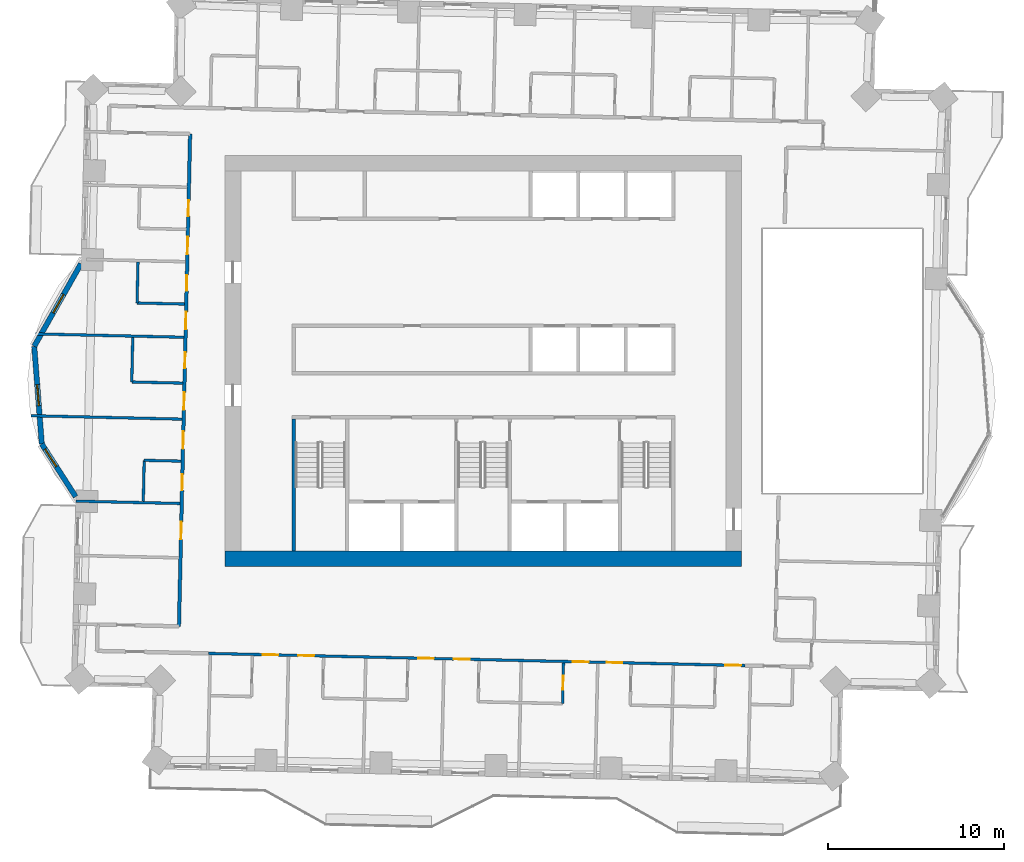
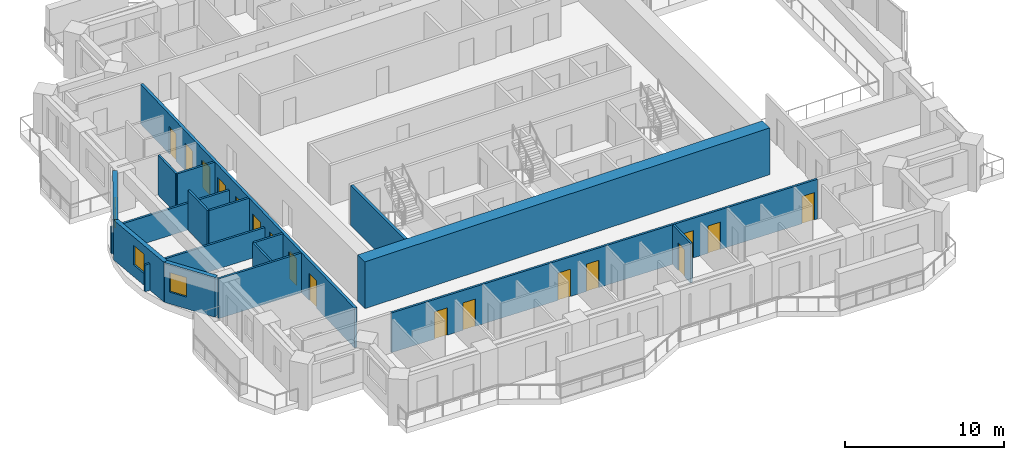
# One storey, part 5 of 14: 17 doors, 17 walls, 3 windows, 20 openings.
"""IFC4 building model written with IfcOpenShell, lengths in metres."""

from ifc_helpers import new_model, si_unit, direction, frame, frame_2d, origin, place, context, subcontext, project, spatial, rectangle, extrude, material, layer, layer_set, type_object, element, fill, save


model = new_model("IFC4")

# Units and contexts
model_context = context("Model", 3, precision=1e-05, world=origin(), true_north=direction((0.0, 1.0)))
body_context = subcontext(model_context, "Body", "Model", "MODEL_VIEW")
ifc_project = project(units=[si_unit("LENGTHUNIT", "METRE"), si_unit("AREAUNIT", "SQUARE_METRE"), si_unit("VOLUMEUNIT", "CUBIC_METRE"), si_unit("PLANEANGLEUNIT", "RADIAN"), si_unit("MASSUNIT", "GRAM", prefix="KILO")], contexts=[model_context])

# Site, building, storey
site_placement = place(None, origin())
site = spatial("IfcSite", under=ifc_project, at=site_placement, CompositionType="ELEMENT")
building_placement = place(site_placement, origin())
building = spatial("IfcBuilding", under=site, at=building_placement, Name="Mangrove Gate Tower", CompositionType="ELEMENT")
storey_placement = place(building_placement, frame((0.0, 0.0, 167.10009765625)))
storey = spatial("IfcBuildingStorey", under=building, at=storey_placement, Name="L42", CompositionType="ELEMENT", Elevation=167.10009765625)

# Walls
ifc_material_1 = material(Name="Concrete C60/75", Category="concrete")
ifc_layer_1 = layer(ifc_material_1, 0.199951171875)
ifc_layer_set_1 = layer_set([ifc_layer_1], Name="Core stair wall 200 C60/75")
wall_type_1 = type_object("IfcWallType", Name="Core stair wall 200 C60/75", PredefinedType="SHEAR", material=ifc_layer_set_1)
wall_1_placement = place(storey_placement, frame((-10.800048828125, -10.800048828125, 0.0), z_axis=(0.0, 0.0, 1.0), x_axis=(0.0, 1.0, 0.0)))
element("IfcWall", 1, at=wall_1_placement, inside=storey, type_object=wall_type_1, Name="WALL-L42-CORE-9", PredefinedType="SHEAR", context=body_context, shape_type="SweptSolid", body=[
    extrude(rectangle(XDim=7.5, YDim=0.199951171875, at=frame_2d((3.75, 0.0))), origin(), (0.0, 0.0, 1.0), 3.0498046875),
])
ifc_material_2 = material(Name="Concrete C60/75", Category="concrete")
ifc_layer_2 = layer(ifc_material_2, 0.89990234375)
ifc_layer_set_2 = layer_set([ifc_layer_2], Name="Core wall 900 C60/75")
wall_type_2 = type_object("IfcWallType", Name="Core wall 900 C60/75", PredefinedType="SHEAR", material=ifc_layer_set_2)
wall_2_placement = place(storey_placement, frame((-14.699951171875, -11.25, 0.0), z_axis=(0.0, 0.0, 1.0), x_axis=(1.0, 0.0, 0.0)))
element("IfcWall", 2, at=wall_2_placement, inside=storey, type_object=wall_type_2, Name="WALL-L42-CORE-1", PredefinedType="SHEAR", context=body_context, shape_type="SweptSolid", body=[
    extrude(rectangle(XDim=29.39990234375, YDim=0.89990234375, at=frame_2d((14.699951171875, 0.0))), origin(), (0.0, 0.0, 1.0), 3.599853515625),
])

# Wall, openings, doors
ifc_material_3 = material(Name="Gypsum board on steel stud, EI 60", Category="steel")
ifc_layer_3 = layer(ifc_material_3, 0.199951171875)
ifc_layer_set_3 = layer_set([ifc_layer_3], Name="Corridor wall EI 60")
wall_type_3 = type_object("IfcWallType", Name="Corridor wall EI 60", PredefinedType="PARTITIONING", material=ifc_layer_set_3)
wall_3_placement = place(storey_placement, frame((-17.320068359375, -15.097900390625, 0.0), z_axis=(0.0, 0.0, 1.0), x_axis=(0.022694293906, 0.999742451346, 0.0)))
wall_3 = element("IfcWall", 3, at=wall_3_placement, inside=storey, type_object=wall_type_3, Name="WALL-L42-027", PredefinedType="PARTITIONING", context=body_context, shape_type="SweptSolid", body=[
    extrude(rectangle(XDim=28.024169921875, YDim=0.199951171875, at=frame_2d((14.01220703125, 0.0))), origin(), (0.0, 0.0, 1.0), 3.0498046875),
])
opening_1_placement = place(wall_3_placement, frame((21.174072265625, 0.0, 0.0)))
opening_1 = element("IfcOpeningElement", 4, at=opening_1_placement, cuts=wall_3, Name="Opening AD", PredefinedType="OPENING", context=body_context, shape_type="SweptSolid", body=[
    extrude(rectangle(XDim=1.0, YDim=2.10009765625, at=frame_2d((0.5, 1.050048828125))), frame((0.0, 0.10986328125, 0.0), z_axis=(0.0, -1.0, 0.0), x_axis=(1.0, 0.0, 0.0)), (0.0, 0.0, 1.0), 0.219970703125),
])
opening_2_placement = place(wall_3_placement, frame((23.34912109375, 0.0, 0.0)))
opening_2 = element("IfcOpeningElement", 5, at=opening_2_placement, cuts=wall_3, Name="Opening SD", PredefinedType="OPENING", context=body_context, shape_type="SweptSolid", body=[
    extrude(rectangle(XDim=0.89990234375, YDim=2.10009765625, at=frame_2d((0.449951171875, 1.050048828125))), frame((0.0, 0.10986328125, 0.0), z_axis=(0.0, -1.0, 0.0), x_axis=(1.0, 0.0, 0.0)), (0.0, 0.0, 1.0), 0.219970703125),
])
opening_3_placement = place(wall_3_placement, frame((16.89892578125, 0.0, 0.0)))
opening_3 = element("IfcOpeningElement", 6, at=opening_3_placement, cuts=wall_3, Name="Opening AD", PredefinedType="OPENING", context=body_context, shape_type="SweptSolid", body=[
    extrude(rectangle(XDim=1.0, YDim=2.10009765625, at=frame_2d((0.5, 1.050048828125))), frame((0.0, 0.10986328125, 0.0), z_axis=(0.0, -1.0, 0.0), x_axis=(1.0, 0.0, 0.0)), (0.0, 0.0, 1.0), 0.219970703125),
])
opening_4_placement = place(wall_3_placement, frame((19.09912109375, 0.0, 0.0)))
opening_4 = element("IfcOpeningElement", 7, at=opening_4_placement, cuts=wall_3, Name="Opening SD", PredefinedType="OPENING", context=body_context, shape_type="SweptSolid", body=[
    extrude(rectangle(XDim=0.89990234375, YDim=2.10009765625, at=frame_2d((0.449951171875, 1.050048828125))), frame((0.0, 0.10986328125, 0.0), z_axis=(0.0, -1.0, 0.0), x_axis=(1.0, 0.0, 0.0)), (0.0, 0.0, 1.0), 0.219970703125),
])
opening_5_placement = place(wall_3_placement, frame((12.323974609375, 0.0, 0.0)))
opening_5 = element("IfcOpeningElement", 8, at=opening_5_placement, cuts=wall_3, Name="Opening AD", PredefinedType="OPENING", context=body_context, shape_type="SweptSolid", body=[
    extrude(rectangle(XDim=1.0, YDim=2.10009765625, at=frame_2d((0.5, 1.050048828125))), frame((0.0, 0.10986328125, 0.0), z_axis=(0.0, -1.0, 0.0), x_axis=(1.0, 0.0, 0.0)), (0.0, 0.0, 1.0), 0.219970703125),
])
opening_6_placement = place(wall_3_placement, frame((14.698974609375, 0.0, 0.0)))
opening_6 = element("IfcOpeningElement", 9, at=opening_6_placement, cuts=wall_3, Name="Opening SD", PredefinedType="OPENING", context=body_context, shape_type="SweptSolid", body=[
    extrude(rectangle(XDim=0.89990234375, YDim=2.10009765625, at=frame_2d((0.449951171875, 1.050048828125))), frame((0.0, 0.10986328125, 0.0), z_axis=(0.0, -1.0, 0.0), x_axis=(1.0, 0.0, 0.0)), (0.0, 0.0, 1.0), 0.219970703125),
])
opening_7_placement = place(wall_3_placement, frame((10.09912109375, 0.0, 0.0)))
opening_7 = element("IfcOpeningElement", 10, at=opening_7_placement, cuts=wall_3, Name="Opening AD", PredefinedType="OPENING", context=body_context, shape_type="SweptSolid", body=[
    extrude(rectangle(XDim=1.0, YDim=2.10009765625, at=frame_2d((0.5, 1.050048828125))), frame((0.0, 0.10986328125, 0.0), z_axis=(0.0, -1.0, 0.0), x_axis=(1.0, 0.0, 0.0)), (0.0, 0.0, 1.0), 0.219970703125),
])
opening_8_placement = place(wall_3_placement, frame((7.7490234375, 0.0, 0.0)))
opening_8 = element("IfcOpeningElement", 11, at=opening_8_placement, cuts=wall_3, Name="Opening SD", PredefinedType="OPENING", context=body_context, shape_type="SweptSolid", body=[
    extrude(rectangle(XDim=0.89990234375, YDim=2.10009765625, at=frame_2d((0.449951171875, 1.050048828125))), frame((0.0, 0.10986328125, 0.0), z_axis=(0.0, -1.0, 0.0), x_axis=(1.0, 0.0, 0.0)), (0.0, 0.0, 1.0), 0.219970703125),
])
opening_9_placement = place(wall_3_placement, frame((4.949951171875, 0.0, 0.0)))
opening_9 = element("IfcOpeningElement", 12, at=opening_9_placement, cuts=wall_3, Name="Opening AD", PredefinedType="OPENING", context=body_context, shape_type="SweptSolid", body=[
    extrude(rectangle(XDim=1.0, YDim=2.10009765625, at=frame_2d((0.5, 1.050048828125))), frame((0.0, 0.10986328125, 0.0), z_axis=(0.0, -1.0, 0.0), x_axis=(1.0, 0.0, 0.0)), (0.0, 0.0, 1.0), 0.219970703125),
])
ifc_material_4 = material(Name="Timber door leaf", Category="wood")
door_type_1 = type_object("IfcDoorType", Name="Amenity door 1000", OperationType="SINGLE_SWING_LEFT", PredefinedType="DOOR", material=ifc_material_4)
door_1_placement = place(opening_1_placement, origin())
door_1 = element("IfcDoor", 13, at=door_1_placement, inside=storey, type_object=door_type_1, Name="DOOR-L42-LNG-c5a", OperationType="SINGLE_SWING_LEFT", OverallHeight=2.10009765625, OverallWidth=1.0, PredefinedType="DOOR", context=body_context, shape_type="SweptSolid", body=[
    extrude(rectangle(XDim=1.0, YDim=2.10009765625, at=frame_2d((0.5, 1.050048828125))), frame((0.0, 0.02490234375, 0.0), z_axis=(0.0, -1.0, 0.0), x_axis=(1.0, 0.0, 0.0)), (0.0, 0.0, 1.0), 0.050048828125),
])
fill(opening_1, door_1)
door_2_placement = place(opening_3_placement, origin())
door_2 = element("IfcDoor", 14, at=door_2_placement, inside=storey, type_object=door_type_1, Name="DOOR-L42-KIT-c5b", OperationType="SINGLE_SWING_RIGHT", OverallHeight=2.10009765625, OverallWidth=1.0, PredefinedType="DOOR", context=body_context, shape_type="SweptSolid", body=[
    extrude(rectangle(XDim=1.0, YDim=2.10009765625, at=frame_2d((0.5, 1.050048828125))), frame((0.0, 0.02490234375, 0.0), z_axis=(0.0, -1.0, 0.0), x_axis=(1.0, 0.0, 0.0)), (0.0, 0.0, 1.0), 0.050048828125),
])
fill(opening_3, door_2)
door_3_placement = place(opening_5_placement, origin())
door_3 = element("IfcDoor", 15, at=door_3_placement, inside=storey, type_object=door_type_1, Name="DOOR-L42-KIT-c5c", OperationType="SINGLE_SWING_LEFT", OverallHeight=2.10009765625, OverallWidth=1.0, PredefinedType="DOOR", context=body_context, shape_type="SweptSolid", body=[
    extrude(rectangle(XDim=1.0, YDim=2.10009765625, at=frame_2d((0.5, 1.050048828125))), frame((0.0, 0.02490234375, 0.0), z_axis=(0.0, -1.0, 0.0), x_axis=(1.0, 0.0, 0.0)), (0.0, 0.0, 1.0), 0.050048828125),
])
fill(opening_5, door_3)
door_4_placement = place(opening_7_placement, origin())
door_4 = element("IfcDoor", 16, at=door_4_placement, inside=storey, type_object=door_type_1, Name="DOOR-L42-GAM-c5a", OperationType="SINGLE_SWING_RIGHT", OverallHeight=2.10009765625, OverallWidth=1.0, PredefinedType="DOOR", context=body_context, shape_type="SweptSolid", body=[
    extrude(rectangle(XDim=1.0, YDim=2.10009765625, at=frame_2d((0.5, 1.050048828125))), frame((0.0, 0.02490234375, 0.0), z_axis=(0.0, -1.0, 0.0), x_axis=(1.0, 0.0, 0.0)), (0.0, 0.0, 1.0), 0.050048828125),
])
fill(opening_7, door_4)
door_5_placement = place(opening_9_placement, origin())
door_5 = element("IfcDoor", 17, at=door_5_placement, inside=storey, type_object=door_type_1, Name="DOOR-L42-STU-c5b", OperationType="SINGLE_SWING_LEFT", OverallHeight=2.10009765625, OverallWidth=1.0, PredefinedType="DOOR", context=body_context, shape_type="SweptSolid", body=[
    extrude(rectangle(XDim=1.0, YDim=2.10009765625, at=frame_2d((0.5, 1.050048828125))), frame((0.0, 0.02490234375, 0.0), z_axis=(0.0, -1.0, 0.0), x_axis=(1.0, 0.0, 0.0)), (0.0, 0.0, 1.0), 0.050048828125),
])
fill(opening_9, door_5)
ifc_material_5 = material(Name="Timber door leaf", Category="wood")
door_type_2 = type_object("IfcDoorType", Name="Service room door 900", OperationType="SINGLE_SWING_LEFT", PredefinedType="DOOR", material=ifc_material_5)
door_6_placement = place(opening_2_placement, origin())
door_6 = element("IfcDoor", 18, at=door_6_placement, inside=storey, type_object=door_type_2, Name="DOOR-L42-WC-c5a", OperationType="SINGLE_SWING_RIGHT", OverallHeight=2.10009765625, OverallWidth=0.89990234375, PredefinedType="DOOR", context=body_context, shape_type="SweptSolid", body=[
    extrude(rectangle(XDim=0.89990234375, YDim=2.10009765625, at=frame_2d((0.449951171875, 1.050048828125))), frame((0.0, 0.02490234375, 0.0), z_axis=(0.0, -1.0, 0.0), x_axis=(1.0, 0.0, 0.0)), (0.0, 0.0, 1.0), 0.050048828125),
])
fill(opening_2, door_6)
door_7_placement = place(opening_4_placement, origin())
door_7 = element("IfcDoor", 19, at=door_7_placement, inside=storey, type_object=door_type_2, Name="DOOR-L42-WC-c5b", OperationType="SINGLE_SWING_LEFT", OverallHeight=2.10009765625, OverallWidth=0.89990234375, PredefinedType="DOOR", context=body_context, shape_type="SweptSolid", body=[
    extrude(rectangle(XDim=0.89990234375, YDim=2.10009765625, at=frame_2d((0.449951171875, 1.050048828125))), frame((0.0, 0.02490234375, 0.0), z_axis=(0.0, -1.0, 0.0), x_axis=(1.0, 0.0, 0.0)), (0.0, 0.0, 1.0), 0.050048828125),
])
fill(opening_4, door_7)
door_8_placement = place(opening_6_placement, origin())
door_8 = element("IfcDoor", 20, at=door_8_placement, inside=storey, type_object=door_type_2, Name="DOOR-L42-AWC-c5b", OperationType="SINGLE_SWING_RIGHT", OverallHeight=2.10009765625, OverallWidth=0.89990234375, PredefinedType="DOOR", context=body_context, shape_type="SweptSolid", body=[
    extrude(rectangle(XDim=0.89990234375, YDim=2.10009765625, at=frame_2d((0.449951171875, 1.050048828125))), frame((0.0, 0.02490234375, 0.0), z_axis=(0.0, -1.0, 0.0), x_axis=(1.0, 0.0, 0.0)), (0.0, 0.0, 1.0), 0.050048828125),
])
fill(opening_6, door_8)
door_9_placement = place(opening_8_placement, origin())
door_9 = element("IfcDoor", 21, at=door_9_placement, inside=storey, type_object=door_type_2, Name="DOOR-L42-LIN-c5a", OperationType="SINGLE_SWING_LEFT", OverallHeight=2.10009765625, OverallWidth=0.89990234375, PredefinedType="DOOR", context=body_context, shape_type="SweptSolid", body=[
    extrude(rectangle(XDim=0.89990234375, YDim=2.10009765625, at=frame_2d((0.449951171875, 1.050048828125))), frame((0.0, 0.02490234375, 0.0), z_axis=(0.0, -1.0, 0.0), x_axis=(1.0, 0.0, 0.0)), (0.0, 0.0, 1.0), 0.050048828125),
])
fill(opening_8, door_9)

# Wall, opening, window
ifc_material_6 = material(Name="Limestone", Category="masonry")
ifc_layer_4 = layer(ifc_material_6, 0.0400390625, Name="Limestone cladding")
ifc_material_7 = material(Name="Ventilated air gap")
ifc_layer_5 = layer(ifc_material_7, 0.0400390625, Name="Ventilated cavity")
ifc_material_8 = material(Name="Mineral wool insulation")
ifc_layer_6 = layer(ifc_material_8, 0.06005859375, Name="Insulation")
ifc_material_9 = material(Name="Breather membrane")
ifc_layer_7 = layer(ifc_material_9, 0.001953125, Name="Breather membrane")
ifc_material_10 = material(Name="Concrete C20/25 blockwork", Category="masonry")
ifc_layer_8 = layer(ifc_material_10, 0.14990234375, Name="Blockwork backing wall")
ifc_material_11 = material(Name="Gypsum plaster")
ifc_layer_9 = layer(ifc_material_11, 0.008056640625, Name="Internal plaster")
ifc_layer_set_4 = layer_set([ifc_layer_4, ifc_layer_5, ifc_layer_6, ifc_layer_7, ifc_layer_8, ifc_layer_9], Name="External wall 300 limestone cladding")
wall_type_4 = type_object("IfcWallType", Name="External wall 300 limestone cladding", PredefinedType="SOLIDWALL", material=ifc_layer_set_4)
wall_4_placement = place(storey_placement, frame((-22.89404296875, 5.537109375, 0.0), z_axis=(0.0, 0.0, 1.0), x_axis=(-0.492495436053, -0.870315026566, 0.0)))
wall_4 = element("IfcWall", 22, at=wall_4_placement, inside=storey, type_object=wall_type_4, Name="WALL-L42-W9f1", PredefinedType="SOLIDWALL", context=body_context, shape_type="SweptSolid", body=[
    extrude(rectangle(XDim=5.39697265625, YDim=0.300048828125, at=frame_2d((2.698486328125, 0.0))), origin(), (0.0, 0.0, 1.0), 3.0498046875),
])
opening_10_placement = place(wall_4_placement, frame((2.007080078125, 0.0, 0.89990234375)))
opening_10 = element("IfcOpeningElement", 23, at=opening_10_placement, cuts=wall_4, Name="Opening W1", PredefinedType="OPENING", context=body_context, shape_type="SweptSolid", body=[
    extrude(rectangle(XDim=1.199951171875, YDim=1.5, at=frame_2d((0.60009765625, 0.75))), frame((0.0, 0.159912109375, 0.0), z_axis=(0.0, -1.0, 0.0), x_axis=(1.0, 0.0, 0.0)), (0.0, 0.0, 1.0), 0.320068359375),
])
ifc_material_12 = material(Name="Aluminium frame with double-glazed low-e glass", Category="aluminium")
window_type = type_object("IfcWindowType", Name="Side lite 1200x1500", PartitioningType="SINGLE_PANEL", PredefinedType="WINDOW", material=ifc_material_12)
window_1_placement = place(opening_10_placement, origin())
window_1 = element("IfcWindow", 24, at=window_1_placement, inside=storey, type_object=window_type, Name="WIN-L42-W9f1", OverallHeight=1.5, OverallWidth=1.199951171875, PartitioningType="SINGLE_PANEL", PredefinedType="WINDOW", context=body_context, shape_type="SweptSolid", body=[
    extrude(rectangle(XDim=1.199951171875, YDim=1.5, at=frame_2d((0.60009765625, 0.75))), frame((0.0, 0.030029296875, 0.0), z_axis=(0.0, -1.0, 0.0), x_axis=(1.0, 0.0, 0.0)), (0.0, 0.0, 1.0), 0.06005859375),
])
fill(opening_10, window_1)

wall_5_placement = place(storey_placement, frame((-25.552001953125, 0.840087890625, 0.0), z_axis=(0.0, 0.0, 1.0), x_axis=(0.076961115238, -0.997034095075, 0.0)))
wall_5 = element("IfcWall", 25, at=wall_5_placement, inside=storey, type_object=wall_type_4, Name="WALL-L42-W9f2", PredefinedType="SOLIDWALL", context=body_context, shape_type="SweptSolid", body=[
    extrude(rectangle(XDim=5.57373046875, YDim=0.300048828125, at=frame_2d((2.786865234375, 0.0))), origin(), (0.0, 0.0, 1.0), 3.0498046875),
])
opening_11_placement = place(wall_5_placement, frame((2.18701171875, 0.0, 0.89990234375)))
opening_11 = element("IfcOpeningElement", 26, at=opening_11_placement, cuts=wall_5, Name="Opening W1", PredefinedType="OPENING", context=body_context, shape_type="SweptSolid", body=[
    extrude(rectangle(XDim=1.199951171875, YDim=1.5, at=frame_2d((0.60009765625, 0.75))), frame((0.0, 0.159912109375, 0.0), z_axis=(0.0, -1.0, 0.0), x_axis=(1.0, 0.0, 0.0)), (0.0, 0.0, 1.0), 0.320068359375),
])
window_2_placement = place(opening_11_placement, origin())
window_2 = element("IfcWindow", 27, at=window_2_placement, inside=storey, type_object=window_type, Name="WIN-L42-W9f2", OverallHeight=1.5, OverallWidth=1.199951171875, PartitioningType="SINGLE_PANEL", PredefinedType="WINDOW", context=body_context, shape_type="SweptSolid", body=[
    extrude(rectangle(XDim=1.199951171875, YDim=1.5, at=frame_2d((0.60009765625, 0.75))), frame((0.0, 0.030029296875, 0.0), z_axis=(0.0, -1.0, 0.0), x_axis=(1.0, 0.0, 0.0)), (0.0, 0.0, 1.0), 0.06005859375),
])
fill(opening_11, window_2)

wall_6_placement = place(storey_placement, frame((-25.123046875, -4.717041015625, 0.0), z_axis=(0.0, 0.0, 1.0), x_axis=(0.54058467792, -0.841289608873, 0.0)))
wall_6 = element("IfcWall", 28, at=wall_6_placement, inside=storey, type_object=wall_type_4, Name="WALL-L42-W9f3", PredefinedType="SOLIDWALL", context=body_context, shape_type="SweptSolid", body=[
    extrude(rectangle(XDim=3.568359375, YDim=0.300048828125, at=frame_2d((1.7841796875, 0.0))), origin(), (0.0, 0.0, 1.0), 3.0498046875),
])
opening_12_placement = place(wall_6_placement, frame((0.337890625, 0.0, 0.89990234375)))
opening_12 = element("IfcOpeningElement", 29, at=opening_12_placement, cuts=wall_6, Name="Opening W1", PredefinedType="OPENING", context=body_context, shape_type="SweptSolid", body=[
    extrude(rectangle(XDim=1.199951171875, YDim=1.5, at=frame_2d((0.60009765625, 0.75))), frame((0.0, 0.159912109375, 0.0), z_axis=(0.0, -1.0, 0.0), x_axis=(1.0, 0.0, 0.0)), (0.0, 0.0, 1.0), 0.320068359375),
])
window_3_placement = place(opening_12_placement, origin())
window_3 = element("IfcWindow", 30, at=window_3_placement, inside=storey, type_object=window_type, Name="WIN-L42-W9f3", OverallHeight=1.5, OverallWidth=1.199951171875, PartitioningType="SINGLE_PANEL", PredefinedType="WINDOW", context=body_context, shape_type="SweptSolid", body=[
    extrude(rectangle(XDim=1.199951171875, YDim=1.5, at=frame_2d((0.60009765625, 0.75))), frame((0.0, 0.030029296875, 0.0), z_axis=(0.0, -1.0, 0.0), x_axis=(1.0, 0.0, 0.0)), (0.0, 0.0, 1.0), 0.06005859375),
])
fill(opening_12, window_3)

# Wall, opening, door
ifc_material_13 = material(Name="Gypsum board on steel stud, EI 60", Category="steel")
ifc_layer_10 = layer(ifc_material_13, 0.14990234375)
ifc_layer_set_5 = layer_set([ifc_layer_10], Name="Party wall 150 EI 60")
wall_type_5 = type_object("IfcWallType", Name="Party wall 150 EI 60", PredefinedType="PARTITIONING", material=ifc_layer_set_5)
wall_7_placement = place(storey_placement, frame((4.506103515625, -19.4951171875, 0.0), z_axis=(0.0, 0.0, 1.0), x_axis=(0.022778632478, 0.99974053329, 0.0)))
wall_7 = element("IfcWall", 31, at=wall_7_placement, inside=storey, type_object=wall_type_5, Name="WALL-L42-013", PredefinedType="PARTITIONING", context=body_context, shape_type="SweptSolid", body=[
    extrude(rectangle(XDim=2.32568359375, YDim=0.14990234375, at=frame_2d((1.162841796875, 0.0))), origin(), (0.0, 0.0, 1.0), 3.0498046875),
])
opening_13_placement = place(wall_7_placement, frame((0.800048828125, 0.0, 0.0)))
opening_13 = element("IfcOpeningElement", 32, at=opening_13_placement, cuts=wall_7, Name="Opening ED", PredefinedType="OPENING", context=body_context, shape_type="SweptSolid", body=[
    extrude(rectangle(XDim=0.800048828125, YDim=2.10009765625, at=frame_2d((0.39990234375, 1.050048828125))), frame((0.0, 0.0849609375, 0.0), z_axis=(0.0, -1.0, 0.0), x_axis=(1.0, 0.0, 0.0)), (0.0, 0.0, 1.0), 0.169921875),
])
ifc_material_14 = material(Name="Timber door leaf", Category="wood")
door_type_3 = type_object("IfcDoorType", Name="En-suite door 800", OperationType="SINGLE_SWING_LEFT", PredefinedType="DOOR", material=ifc_material_14)
door_10_placement = place(opening_13_placement, origin())
door_10 = element("IfcDoor", 33, at=door_10_placement, inside=storey, type_object=door_type_3, Name="DOOR-L42-ENS-c205", OperationType="SINGLE_SWING_LEFT", OverallHeight=2.10009765625, OverallWidth=0.800048828125, PredefinedType="DOOR", context=body_context, shape_type="SweptSolid", body=[
    extrude(rectangle(XDim=0.800048828125, YDim=2.10009765625, at=frame_2d((0.39990234375, 1.050048828125))), frame((0.0, 0.02490234375, 0.0), z_axis=(0.0, -1.0, 0.0), x_axis=(1.0, 0.0, 0.0)), (0.0, 0.0, 1.0), 0.050048828125),
])
fill(opening_13, door_10)

# Wall, openings, doors
wall_8_placement = place(storey_placement, frame((-15.64892578125, -16.633056640625, 0.0), z_axis=(0.0, 0.0, 1.0), x_axis=(0.999743261737, -0.022658565952, 0.0)))
wall_8 = element("IfcWall", 34, at=wall_8_placement, inside=storey, type_object=wall_type_5, Name="WALL-L42-025", PredefinedType="PARTITIONING", context=body_context, shape_type="SweptSolid", body=[
    extrude(rectangle(XDim=30.53564453125, YDim=0.14990234375, at=frame_2d((15.267822265625, 0.0))), origin(), (0.0, 0.0, 1.0), 3.0498046875),
])
opening_14_placement = place(wall_8_placement, frame((3.090087890625, 0.0, 0.0)))
opening_14 = element("IfcOpeningElement", 35, at=opening_14_placement, cuts=wall_8, Name="Opening BD", PredefinedType="OPENING", context=body_context, shape_type="SweptSolid", body=[
    extrude(rectangle(XDim=0.89990234375, YDim=2.10009765625, at=frame_2d((0.449951171875, 1.050048828125))), frame((0.0, 0.0849609375, 0.0), z_axis=(0.0, -1.0, 0.0), x_axis=(1.0, 0.0, 0.0)), (0.0, 0.0, 1.0), 0.169921875),
])
opening_15_placement = place(wall_8_placement, frame((5.114990234375, 0.0, 0.0)))
opening_15 = element("IfcOpeningElement", 36, at=opening_15_placement, cuts=wall_8, Name="Opening BD", PredefinedType="OPENING", context=body_context, shape_type="SweptSolid", body=[
    extrude(rectangle(XDim=0.89990234375, YDim=2.10009765625, at=frame_2d((0.449951171875, 1.050048828125))), frame((0.0, 0.0849609375, 0.0), z_axis=(0.0, -1.0, 0.0), x_axis=(1.0, 0.0, 0.0)), (0.0, 0.0, 1.0), 0.169921875),
])
opening_16_placement = place(wall_8_placement, frame((11.93994140625, 0.0, 0.0)))
opening_16 = element("IfcOpeningElement", 37, at=opening_16_placement, cuts=wall_8, Name="Opening BD", PredefinedType="OPENING", context=body_context, shape_type="SweptSolid", body=[
    extrude(rectangle(XDim=0.89990234375, YDim=2.10009765625, at=frame_2d((0.449951171875, 1.050048828125))), frame((0.0, 0.0849609375, 0.0), z_axis=(0.0, -1.0, 0.0), x_axis=(1.0, 0.0, 0.0)), (0.0, 0.0, 1.0), 0.169921875),
])
opening_17_placement = place(wall_8_placement, frame((13.965087890625, 0.0, 0.0)))
opening_17 = element("IfcOpeningElement", 38, at=opening_17_placement, cuts=wall_8, Name="Opening BD", PredefinedType="OPENING", context=body_context, shape_type="SweptSolid", body=[
    extrude(rectangle(XDim=0.89990234375, YDim=2.10009765625, at=frame_2d((0.449951171875, 1.050048828125))), frame((0.0, 0.0849609375, 0.0), z_axis=(0.0, -1.0, 0.0), x_axis=(1.0, 0.0, 0.0)), (0.0, 0.0, 1.0), 0.169921875),
])
opening_18_placement = place(wall_8_placement, frame((20.739990234375, 0.0, 0.0)))
opening_18 = element("IfcOpeningElement", 39, at=opening_18_placement, cuts=wall_8, Name="Opening BD", PredefinedType="OPENING", context=body_context, shape_type="SweptSolid", body=[
    extrude(rectangle(XDim=0.89990234375, YDim=2.10009765625, at=frame_2d((0.449951171875, 1.050048828125))), frame((0.0, 0.0849609375, 0.0), z_axis=(0.0, -1.0, 0.0), x_axis=(1.0, 0.0, 0.0)), (0.0, 0.0, 1.0), 0.169921875),
])
opening_19_placement = place(wall_8_placement, frame((22.6650390625, 0.0, 0.0)))
opening_19 = element("IfcOpeningElement", 40, at=opening_19_placement, cuts=wall_8, Name="Opening BD", PredefinedType="OPENING", context=body_context, shape_type="SweptSolid", body=[
    extrude(rectangle(XDim=0.89990234375, YDim=2.10009765625, at=frame_2d((0.449951171875, 1.050048828125))), frame((0.0, 0.0849609375, 0.0), z_axis=(0.0, -1.0, 0.0), x_axis=(1.0, 0.0, 0.0)), (0.0, 0.0, 1.0), 0.169921875),
])
opening_20_placement = place(wall_8_placement, frame((29.4150390625, 0.0, 0.0)))
opening_20 = element("IfcOpeningElement", 41, at=opening_20_placement, cuts=wall_8, Name="Opening BD", PredefinedType="OPENING", context=body_context, shape_type="SweptSolid", body=[
    extrude(rectangle(XDim=0.89990234375, YDim=2.10009765625, at=frame_2d((0.449951171875, 1.050048828125))), frame((0.0, 0.0849609375, 0.0), z_axis=(0.0, -1.0, 0.0), x_axis=(1.0, 0.0, 0.0)), (0.0, 0.0, 1.0), 0.169921875),
])
ifc_material_15 = material(Name="Timber door leaf", Category="wood")
door_type_4 = type_object("IfcDoorType", Name="Bedroom door 900", OperationType="SINGLE_SWING_LEFT", PredefinedType="DOOR", material=ifc_material_15)
door_11_placement = place(opening_14_placement, origin())
door_11 = element("IfcDoor", 42, at=door_11_placement, inside=storey, type_object=door_type_4, Name="DOOR-L42-BED-c101", OperationType="SINGLE_SWING_LEFT", OverallHeight=2.10009765625, OverallWidth=0.89990234375, PredefinedType="DOOR", context=body_context, shape_type="SweptSolid", body=[
    extrude(rectangle(XDim=0.89990234375, YDim=2.10009765625, at=frame_2d((0.449951171875, 1.050048828125))), frame((0.0, 0.02490234375, 0.0), z_axis=(0.0, -1.0, 0.0), x_axis=(1.0, 0.0, 0.0)), (0.0, 0.0, 1.0), 0.050048828125),
])
fill(opening_14, door_11)
door_12_placement = place(opening_15_placement, origin())
door_12 = element("IfcDoor", 43, at=door_12_placement, inside=storey, type_object=door_type_4, Name="DOOR-L42-BED-c102", OperationType="SINGLE_SWING_RIGHT", OverallHeight=2.10009765625, OverallWidth=0.89990234375, PredefinedType="DOOR", context=body_context, shape_type="SweptSolid", body=[
    extrude(rectangle(XDim=0.89990234375, YDim=2.10009765625, at=frame_2d((0.449951171875, 1.050048828125))), frame((0.0, 0.02490234375, 0.0), z_axis=(0.0, -1.0, 0.0), x_axis=(1.0, 0.0, 0.0)), (0.0, 0.0, 1.0), 0.050048828125),
])
fill(opening_15, door_12)
door_13_placement = place(opening_16_placement, origin())
door_13 = element("IfcDoor", 44, at=door_13_placement, inside=storey, type_object=door_type_4, Name="DOOR-L42-BED-c103", OperationType="SINGLE_SWING_LEFT", OverallHeight=2.10009765625, OverallWidth=0.89990234375, PredefinedType="DOOR", context=body_context, shape_type="SweptSolid", body=[
    extrude(rectangle(XDim=0.89990234375, YDim=2.10009765625, at=frame_2d((0.449951171875, 1.050048828125))), frame((0.0, 0.02490234375, 0.0), z_axis=(0.0, -1.0, 0.0), x_axis=(1.0, 0.0, 0.0)), (0.0, 0.0, 1.0), 0.050048828125),
])
fill(opening_16, door_13)
door_14_placement = place(opening_17_placement, origin())
door_14 = element("IfcDoor", 45, at=door_14_placement, inside=storey, type_object=door_type_4, Name="DOOR-L42-BED-c204", OperationType="SINGLE_SWING_RIGHT", OverallHeight=2.10009765625, OverallWidth=0.89990234375, PredefinedType="DOOR", context=body_context, shape_type="SweptSolid", body=[
    extrude(rectangle(XDim=0.89990234375, YDim=2.10009765625, at=frame_2d((0.449951171875, 1.050048828125))), frame((0.0, 0.02490234375, 0.0), z_axis=(0.0, -1.0, 0.0), x_axis=(1.0, 0.0, 0.0)), (0.0, 0.0, 1.0), 0.050048828125),
])
fill(opening_17, door_14)
door_15_placement = place(opening_18_placement, origin())
door_15 = element("IfcDoor", 46, at=door_15_placement, inside=storey, type_object=door_type_4, Name="DOOR-L42-BED-c205", OperationType="SINGLE_SWING_LEFT", OverallHeight=2.10009765625, OverallWidth=0.89990234375, PredefinedType="DOOR", context=body_context, shape_type="SweptSolid", body=[
    extrude(rectangle(XDim=0.89990234375, YDim=2.10009765625, at=frame_2d((0.449951171875, 1.050048828125))), frame((0.0, 0.02490234375, 0.0), z_axis=(0.0, -1.0, 0.0), x_axis=(1.0, 0.0, 0.0)), (0.0, 0.0, 1.0), 0.050048828125),
])
fill(opening_18, door_15)
door_16_placement = place(opening_19_placement, origin())
door_16 = element("IfcDoor", 47, at=door_16_placement, inside=storey, type_object=door_type_4, Name="DOOR-L42-BED-c206", OperationType="SINGLE_SWING_RIGHT", OverallHeight=2.10009765625, OverallWidth=0.89990234375, PredefinedType="DOOR", context=body_context, shape_type="SweptSolid", body=[
    extrude(rectangle(XDim=0.89990234375, YDim=2.10009765625, at=frame_2d((0.449951171875, 1.050048828125))), frame((0.0, 0.02490234375, 0.0), z_axis=(0.0, -1.0, 0.0), x_axis=(1.0, 0.0, 0.0)), (0.0, 0.0, 1.0), 0.050048828125),
])
fill(opening_19, door_16)
door_17_placement = place(opening_20_placement, origin())
door_17 = element("IfcDoor", 48, at=door_17_placement, inside=storey, type_object=door_type_4, Name="DOOR-L42-BED-c307", OperationType="SINGLE_SWING_LEFT", OverallHeight=2.10009765625, OverallWidth=0.89990234375, PredefinedType="DOOR", context=body_context, shape_type="SweptSolid", body=[
    extrude(rectangle(XDim=0.89990234375, YDim=2.10009765625, at=frame_2d((0.449951171875, 1.050048828125))), frame((0.0, 0.02490234375, 0.0), z_axis=(0.0, -1.0, 0.0), x_axis=(1.0, 0.0, 0.0)), (0.0, 0.0, 1.0), 0.050048828125),
])
fill(opening_20, door_17)

# Walls
wall_9_placement = place(storey_placement, frame((-23.18994140625, -7.968994140625, 0.0), z_axis=(0.0, 0.0, 1.0), x_axis=(0.999741261868, -0.022746633113, 0.0)))
element("IfcWall", 49, at=wall_9_placement, inside=storey, type_object=wall_type_5, Name="WALL-L42-037", PredefinedType="PARTITIONING", context=body_context, shape_type="SweptSolid", body=[
    extrude(rectangle(XDim=5.935302734375, YDim=0.14990234375, at=frame_2d((2.9677734375, 0.0))), origin(), (0.0, 0.0, 1.0), 3.0498046875),
])
wall_10_placement = place(storey_placement, frame((-19.34912109375, -7.97607421875, 0.0), z_axis=(0.0, 0.0, 1.0), x_axis=(0.022895561926, 0.999737862264, 0.0)))
element("IfcWall", 50, at=wall_10_placement, inside=storey, type_object=wall_type_5, Name="WALL-L42-038", PredefinedType="PARTITIONING", context=body_context, shape_type="SweptSolid", body=[
    extrude(rectangle(XDim=2.324462890625, YDim=0.14990234375, at=frame_2d((1.162109375, 0.0))), origin(), (0.0, 0.0, 1.0), 3.0498046875),
])
wall_11_placement = place(storey_placement, frame((-19.301025390625, -5.64697265625, 0.0), z_axis=(0.0, 0.0, 1.0), x_axis=(0.999748159451, -0.022441427631, 0.0)))
element("IfcWall", 51, at=wall_11_placement, inside=storey, type_object=wall_type_5, Name="WALL-L42-039", PredefinedType="PARTITIONING", context=body_context, shape_type="SweptSolid", body=[
    extrude(rectangle(XDim=2.099609375, YDim=0.14990234375, at=frame_2d((1.0498046875, 0.0))), origin(), (0.0, 0.0, 1.0), 3.0498046875),
])
wall_12_placement = place(storey_placement, frame((-25.736083984375, -3.110107421875, 0.0), z_axis=(0.0, 0.0, 1.0), x_axis=(0.99974284683, -0.02267686512, 0.0)))
element("IfcWall", 52, at=wall_12_placement, inside=storey, type_object=wall_type_5, Name="WALL-L42-040", PredefinedType="PARTITIONING", context=body_context, shape_type="SweptSolid", body=[
    extrude(rectangle(XDim=8.59130859375, YDim=0.14990234375, at=frame_2d((4.295654296875, 0.0))), origin(), (0.0, 0.0, 1.0), 2.0498046875),
])
wall_13_placement = place(storey_placement, frame((-20.0, -1.18994140625, 0.0), z_axis=(0.0, 0.0, 1.0), x_axis=(0.999739657619, -0.022817032779, 0.0)))
element("IfcWall", 53, at=wall_13_placement, inside=storey, type_object=wall_type_5, Name="WALL-L42-041", PredefinedType="PARTITIONING", context=body_context, shape_type="SweptSolid", body=[
    extrude(rectangle(XDim=2.899658203125, YDim=0.14990234375, at=frame_2d((1.44970703125, 0.0))), origin(), (0.0, 0.0, 1.0), 3.0498046875),
])
wall_14_placement = place(storey_placement, frame((-20.0048828125, -1.18505859375, 0.0), z_axis=(0.0, 0.0, 1.0), x_axis=(0.022521599255, 0.999746356616, 0.0)))
element("IfcWall", 54, at=wall_14_placement, inside=storey, type_object=wall_type_5, Name="WALL-L42-042", PredefinedType="PARTITIONING", context=body_context, shape_type="SweptSolid", body=[
    extrude(rectangle(XDim=2.52587890625, YDim=0.14990234375, at=frame_2d((1.262939453125, 0.0))), origin(), (0.0, 0.0, 1.0), 3.0498046875),
])
wall_15_placement = place(storey_placement, frame((-25.47607421875, 1.544921875, 0.0), z_axis=(0.0, 0.0, 1.0), x_axis=(0.9997438932, -0.022630687329, 0.0)))
element("IfcWall", 55, at=wall_15_placement, inside=storey, type_object=wall_type_5, Name="WALL-L42-043", PredefinedType="PARTITIONING", context=body_context, shape_type="SweptSolid", body=[
    extrude(rectangle(XDim=8.436279296875, YDim=0.14990234375, at=frame_2d((4.21826171875, 0.0))), origin(), (0.0, 0.0, 1.0), 2.0498046875),
])
wall_16_placement = place(storey_placement, frame((-19.697998046875, 3.303955078125, 0.0), z_axis=(0.0, 0.0, 1.0), x_axis=(0.999744396973, -0.02260842146, 0.0)))
element("IfcWall", 56, at=wall_16_placement, inside=storey, type_object=wall_type_5, Name="WALL-L42-044", PredefinedType="PARTITIONING", context=body_context, shape_type="SweptSolid", body=[
    extrude(rectangle(XDim=2.69970703125, YDim=0.14990234375, at=frame_2d((1.349853515625, 0.0))), origin(), (0.0, 0.0, 1.0), 3.0498046875),
])
wall_17_placement = place(storey_placement, frame((-19.702880859375, 3.31005859375, 0.0), z_axis=(0.0, 0.0, 1.0), x_axis=(0.02279059109, 0.999740260747, 0.0)))
element("IfcWall", 57, at=wall_17_placement, inside=storey, type_object=wall_type_5, Name="WALL-L42-045", PredefinedType="PARTITIONING", context=body_context, shape_type="SweptSolid", body=[
    extrude(rectangle(XDim=2.324462890625, YDim=0.14990234375, at=frame_2d((1.162109375, 0.0))), origin(), (0.0, 0.0, 1.0), 3.0498046875),
])

save(model, "model.ifc")
